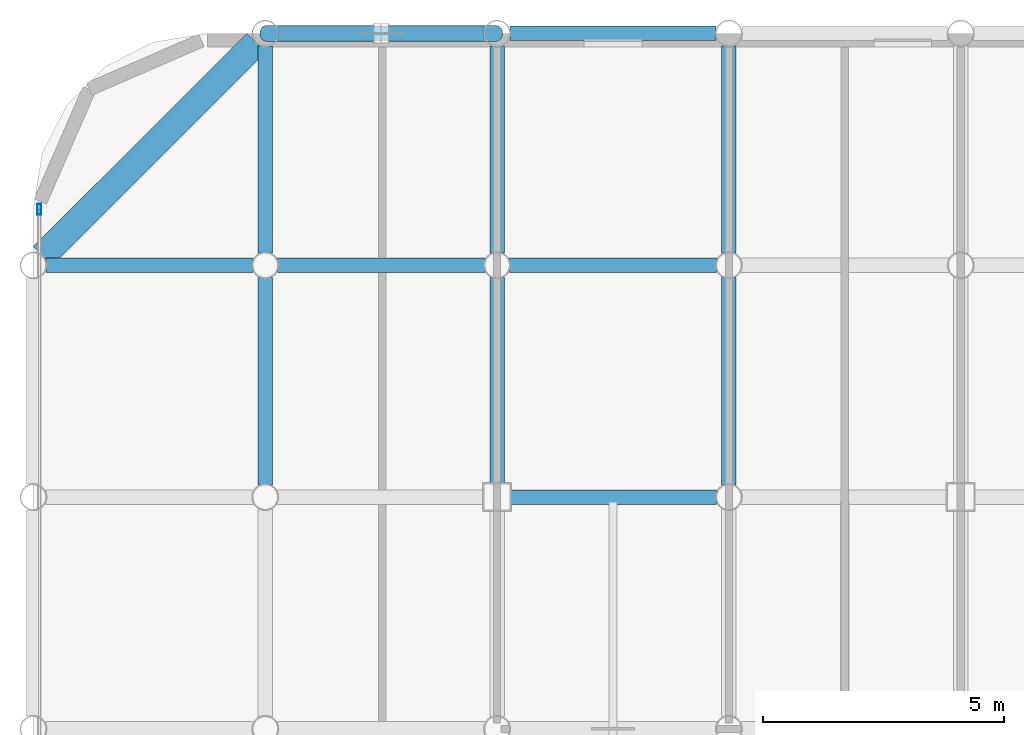
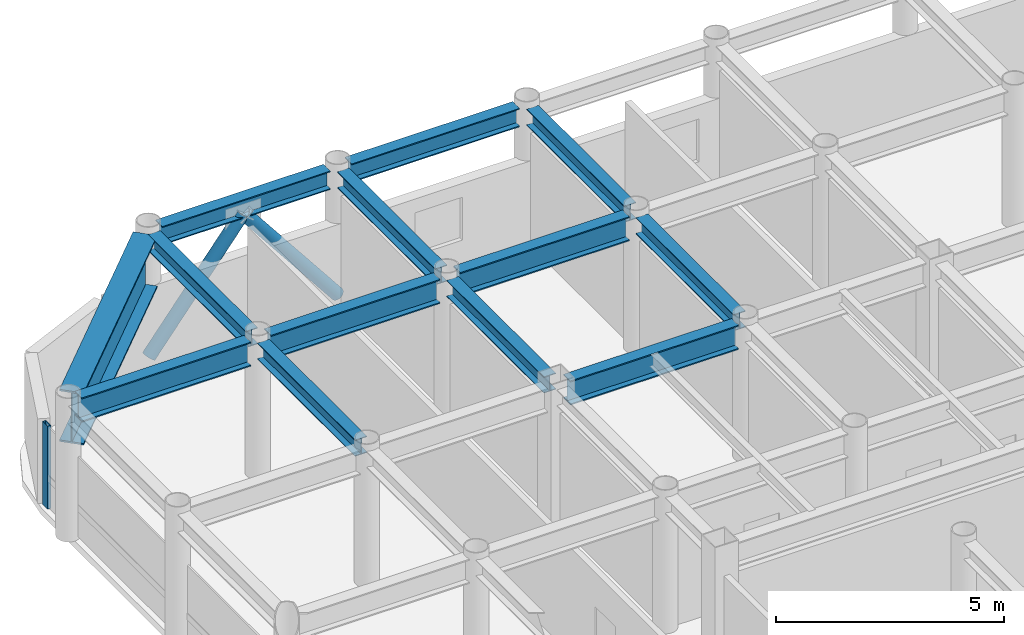
# One storey, part 12 of 21: 13 beams, 3 members, 1 element without a shape of its own.
"""IFC4 building model written with IfcOpenShell, lengths in metres."""

from ifc_helpers import new_model, si_unit, direction, frame, origin, origin_2d, place, context, subcontext, project, spatial, hollow_rectangle, hollow_circle, i_section, extrude, material, layer, layer_set, material_profile, profile_set, type_object, element, aggregate, save


model = new_model("IFC4")

# Units and contexts
model_context = context("Model", 3, precision=1e-05, world=origin(), true_north=direction((0.0, 1.0)))
body_context = subcontext(model_context, "Body", "Model", "MODEL_VIEW")
ifc_project = project(units=[si_unit("LENGTHUNIT", "METRE"), si_unit("AREAUNIT", "SQUARE_METRE"), si_unit("VOLUMEUNIT", "CUBIC_METRE"), si_unit("PLANEANGLEUNIT", "RADIAN"), si_unit("MASSUNIT", "GRAM", prefix="KILO")], contexts=[model_context])

# Site, building, storey
site_placement = place(None, origin())
site = spatial("IfcSite", under=ifc_project, at=site_placement, CompositionType="ELEMENT")
building_placement = place(site_placement, origin())
building = spatial("IfcBuilding", under=site, at=building_placement, Name="Kallvorn Hotel Tower", CompositionType="ELEMENT")
storey_placement = place(building_placement, frame((0.0, 0.0, 268.5)))
storey = spatial("IfcBuildingStorey", under=building, at=storey_placement, Name="L67", CompositionType="ELEMENT", Elevation=268.5)

# Beams
ifc_material_1 = material(Name="Structural steel S355JR", Category="steel")
ifc_material_profile_1 = material_profile(ifc_material_1, i_section(OverallWidth=0.300048828125, OverallDepth=0.43994140625, WebThickness=0.011474609375, FlangeThickness=0.02099609375, at=origin_2d()), Name="HE 450 A")
ifc_profile_set_1 = profile_set([ifc_material_profile_1], Name="Structural steel S355JR")
beam_type_1 = type_object("IfcBeamType", Name="BM_HE450A", PredefinedType="BEAM", material=ifc_profile_set_1)
for number, where, z_axis, x_axis, name in (
    (1, (-28.800048828125, 14.654541015625, 3.449951171875), (0.0, 1.0, 0.0), (-1.0, 0.0, 0.0), "L68 Primary Y-Girder 80"),
    (2, (-28.800048828125, 19.45458984375, 3.449951171875), (0.0, 1.0, 0.0), (-1.0, 0.0, 0.0), "L68 Primary Y-Girder 81"),
):
    element("IfcBeam", number, at=place(storey_placement, frame(where, z_axis=z_axis, x_axis=x_axis)), inside=storey, type_object=beam_type_1, Name=name, PredefinedType="BEAM", context=body_context, shape_type="SweptSolid", body=[
        extrude(i_section(OverallWidth=0.300048828125, OverallDepth=0.43994140625, WebThickness=0.011474609375, FlangeThickness=0.02099609375, at=origin_2d()), origin(), (0.0, 0.0, 1.0), 4.291015625),
    ])
beam_1_placement = place(storey_placement, frame((-24.0, 14.675048828125, 3.449951171875), z_axis=(0.0, 1.0, 0.0), x_axis=(-1.0, 0.0, 0.0)))
element("IfcBeam", 3, at=beam_1_placement, inside=storey, type_object=beam_type_1, Name="L68 Primary Y-Girder 87", PredefinedType="BEAM", context=body_context, shape_type="SweptSolid", body=[
    extrude(i_section(OverallWidth=0.300048828125, OverallDepth=0.43994140625, WebThickness=0.011474609375, FlangeThickness=0.02099609375, at=origin_2d()), origin(), (0.0, 0.0, 1.0), 4.2705078125),
])
for number, where, z_axis, x_axis, name in (
    (4, (-24.0, 19.45458984375, 3.449951171875), (0.0, 1.0, 0.0), (-1.0, 0.0, 0.0), "L68 Primary Y-Girder 88"),
    (5, (-19.199951171875, 14.654541015625, 3.449951171875), (0.0, 1.0, 0.0), (-1.0, 0.0, 0.0), "L68 Primary Y-Girder 96"),
    (6, (-19.199951171875, 19.45458984375, 3.449951171875), (0.0, 1.0, 0.0), (-1.0, 0.0, 0.0), "L68 Primary Y-Girder 97"),
):
    element("IfcBeam", number, at=place(storey_placement, frame(where, z_axis=z_axis, x_axis=x_axis)), inside=storey, type_object=beam_type_1, Name=name, PredefinedType="BEAM", context=body_context, shape_type="SweptSolid", body=[
        extrude(i_section(OverallWidth=0.300048828125, OverallDepth=0.43994140625, WebThickness=0.011474609375, FlangeThickness=0.02099609375, at=origin_2d()), origin(), (0.0, 0.0, 1.0), 4.291015625),
    ])
ifc_material_2 = material(Name="Structural steel S355JR", Category="steel")
ifc_material_profile_2 = material_profile(ifc_material_2, i_section(OverallWidth=0.300048828125, OverallDepth=0.5, WebThickness=0.014404296875, FlangeThickness=0.028076171875, at=origin_2d()), Name="HE 500 B")
ifc_profile_set_2 = profile_set([ifc_material_profile_2], Name="Structural steel S355JR")
beam_type_2 = type_object("IfcBeamType", Name="BM_HE500B", PredefinedType="SPANDREL", material=ifc_profile_set_2)
for number, where, z_axis, x_axis, name in (
    (7, (-28.530517578125, 24.0, 3.419921875), (1.0, 0.0, 0.0), (0.0, 1.0, 0.0), "L68 Perimeter Spandrel 163"),
    (8, (-23.73046875, 24.0, 3.419921875), (1.0, 0.0, 0.0), (0.0, 1.0, 0.0), "L68 Perimeter Spandrel 164"),
):
    element("IfcBeam", number, at=place(storey_placement, frame(where, z_axis=z_axis, x_axis=x_axis)), inside=storey, type_object=beam_type_2, Name=name, PredefinedType="SPANDREL", context=body_context, shape_type="SweptSolid", body=[
        extrude(i_section(OverallWidth=0.300048828125, OverallDepth=0.5, WebThickness=0.014404296875, FlangeThickness=0.028076171875, at=origin_2d()), origin(), (0.0, 0.0, 1.0), 4.260986328125),
    ])
ifc_material_3 = material(Name="Structural steel S355JR", Category="steel")
ifc_material_profile_3 = material_profile(ifc_material_3, i_section(OverallWidth=0.300048828125, OverallDepth=0.64990234375, WebThickness=0.01611328125, FlangeThickness=0.031005859375, at=origin_2d()), Name="HE 650 B")
ifc_profile_set_3 = profile_set([ifc_material_profile_3], Name="Structural steel S355JR")
beam_type_3 = type_object("IfcBeamType", Name="BM_HE650B", PredefinedType="BEAM", material=ifc_profile_set_3)
beam_2_placement = place(storey_placement, frame((-23.72509765625, 14.39990234375, 3.344970703125), z_axis=(1.0, 0.0, 0.0), x_axis=(0.0, 1.0, 0.0)))
element("IfcBeam", 9, at=beam_2_placement, inside=storey, type_object=beam_type_3, Name="L68 Primary X-Girder 52", PredefinedType="BEAM", context=body_context, shape_type="SweptSolid", body=[
    extrude(i_section(OverallWidth=0.300048828125, OverallDepth=0.64990234375, WebThickness=0.01611328125, FlangeThickness=0.031005859375, at=origin_2d()), origin(), (0.0, 0.0, 1.0), 4.2705078125),
])
for number, where, z_axis, x_axis, name in (
    (10, (-33.345458984375, 19.199951171875, 3.344970703125), (1.0, 0.0, 0.0), (0.0, 1.0, 0.0), "L68 Primary X-Girder 60"),
    (11, (-28.54541015625, 19.199951171875, 3.344970703125), (1.0, 0.0, 0.0), (0.0, 1.0, 0.0), "L68 Primary X-Girder 61"),
    (12, (-23.74560546875, 19.199951171875, 3.344970703125), (1.0, 0.0, 0.0), (0.0, 1.0, 0.0), "L68 Primary X-Girder 62"),
):
    element("IfcBeam", number, at=place(storey_placement, frame(where, z_axis=z_axis, x_axis=x_axis)), inside=storey, type_object=beam_type_3, Name=name, PredefinedType="BEAM", context=body_context, shape_type="SweptSolid", body=[
        extrude(i_section(OverallWidth=0.300048828125, OverallDepth=0.64990234375, WebThickness=0.01611328125, FlangeThickness=0.031005859375, at=origin_2d()), origin(), (0.0, 0.0, 1.0), 4.291015625),
    ])
ifc_material_4 = material(Name="Structural steel S355JR", Category="steel")
ifc_material_profile_4 = material_profile(ifc_material_4, i_section(OverallWidth=0.550048828125, OverallDepth=1.39990234375, WebThickness=0.02490234375, FlangeThickness=0.044921875, at=origin_2d()), Name="PG 1400x550x25x45")
ifc_profile_set_4 = profile_set([ifc_material_profile_4], Name="Structural steel S355JR")
beam_type_4 = type_object("IfcBeamType", Name="BM_PG_1400", PredefinedType="BEAM", material=ifc_profile_set_4)
beam_3_placement = place(storey_placement, frame((-33.409423828125, 19.390625, 2.969970703125), z_axis=(0.707126314793, 0.707087247041, 0.0), x_axis=(-0.707087247041, 0.707126314793, 0.0)))
element("IfcBeam", 13, at=beam_3_placement, inside=storey, type_object=beam_type_4, Name="L68 Rounded Corner Tie Beam 190", PredefinedType="BEAM", context=body_context, shape_type="SweptSolid", body=[
    extrude(i_section(OverallWidth=0.550048828125, OverallDepth=1.39990234375, WebThickness=0.02490234375, FlangeThickness=0.044921875, at=origin_2d()), origin(), (0.0, 0.0, 1.0), 6.249267578125),
])

# Curtain wall, member
ifc_material_5 = material(Name="Thermally broken black-anodised aluminium AA 6063-T6", Category="aluminium")
ifc_layer = layer(ifc_material_5, 0.22998046875)
ifc_layer_set = layer_set([ifc_layer], Name="CW_SYS_5_HOTEL_HIGH")
curtain_wall_type = type_object("IfcCurtainWallType", Name="CW_SYS_5_HOTEL_HIGH", PredefinedType="USERDEFINED", material=ifc_layer_set)
curtain_wall_placement = place(storey_placement, origin())
curtain_wall = element("IfcCurtainWall", 14, at=curtain_wall_placement, inside=storey, type_object=curtain_wall_type, Name="L67 Dark-Glass Curtain Wall CW-L67-WN", ObjectType="UNITISED CURTAIN WALL", PredefinedType="USERDEFINED")
ifc_material_6 = material(Name="Thermally broken black-anodised aluminium AA 6063-T6", Category="aluminium")
ifc_material_profile_5 = material_profile(ifc_material_6, hollow_rectangle(XDim=0.080078125, YDim=0.219970703125, WallThickness=0.0048828125, at=origin_2d()), Name="MUL 220x80")
ifc_profile_set_5 = profile_set([ifc_material_profile_5], Name="Thermally broken black-anodised aluminium AA 6063-T6")
member_type_1 = type_object("IfcMemberType", Name="CW_MULLION_220x80", PredefinedType="MULLION", material=ifc_profile_set_5)
member_placement = place(storey_placement, frame((-33.47998046875, 20.360107421875, 0.02001953125), z_axis=(0.0, 0.0, 1.0), x_axis=(1.0, 0.0, 0.0)))
member = element("IfcMember", 15, at=member_placement, type_object=member_type_1, Name="CW-L67-WN Mullion 01", PredefinedType="MULLION", context=body_context, shape_type="SweptSolid", body=[
    extrude(hollow_rectangle(XDim=0.080078125, YDim=0.219970703125, WallThickness=0.0048828125, at=origin_2d()), origin(), (0.0, 0.0, 1.0), 2.22998046875),
])
aggregate(curtain_wall, [member])

# Members
ifc_material_7 = material(Name="Structural steel S355J2H", Category="steel")
ifc_material_profile_6 = material_profile(ifc_material_7, hollow_circle(Radius=0.161865234375, WallThickness=0.012451171875, at=origin_2d()), Name="CHS 323.9x12.5")
ifc_profile_set_6 = profile_set([ifc_material_profile_6], Name="Structural steel S355J2H")
member_type_2 = type_object("IfcMemberType", Name="MBR_EXO_CHS323", PredefinedType="BRACE", material=ifc_profile_set_6)
for number, where, z_axis, x_axis, name in (
    (16, (-28.78759765625, 24.0, 0.19580078125), (0.620928510901, 0.0, 0.783867198159), (0.0, 1.0, 0.0), "L67 Exoskeleton K-Brace N1A"),
    (17, (-24.012451171875, 24.0, 0.19580078125), (-0.620928510901, 0.0, 0.783867198159), (0.0, -1.0, 0.0), "L67 Exoskeleton K-Brace N1B"),
):
    element("IfcMember", number, at=place(storey_placement, frame(where, z_axis=z_axis, x_axis=x_axis)), inside=storey, type_object=member_type_2, Name=name, PredefinedType="BRACE", context=body_context, shape_type="SweptSolid", body=[
        extrude(hollow_circle(Radius=0.161865234375, WallThickness=0.012451171875, at=origin_2d()), origin(), (0.0, 0.0, 1.0), 3.8251953125),
    ])

save(model, "model.ifc")
